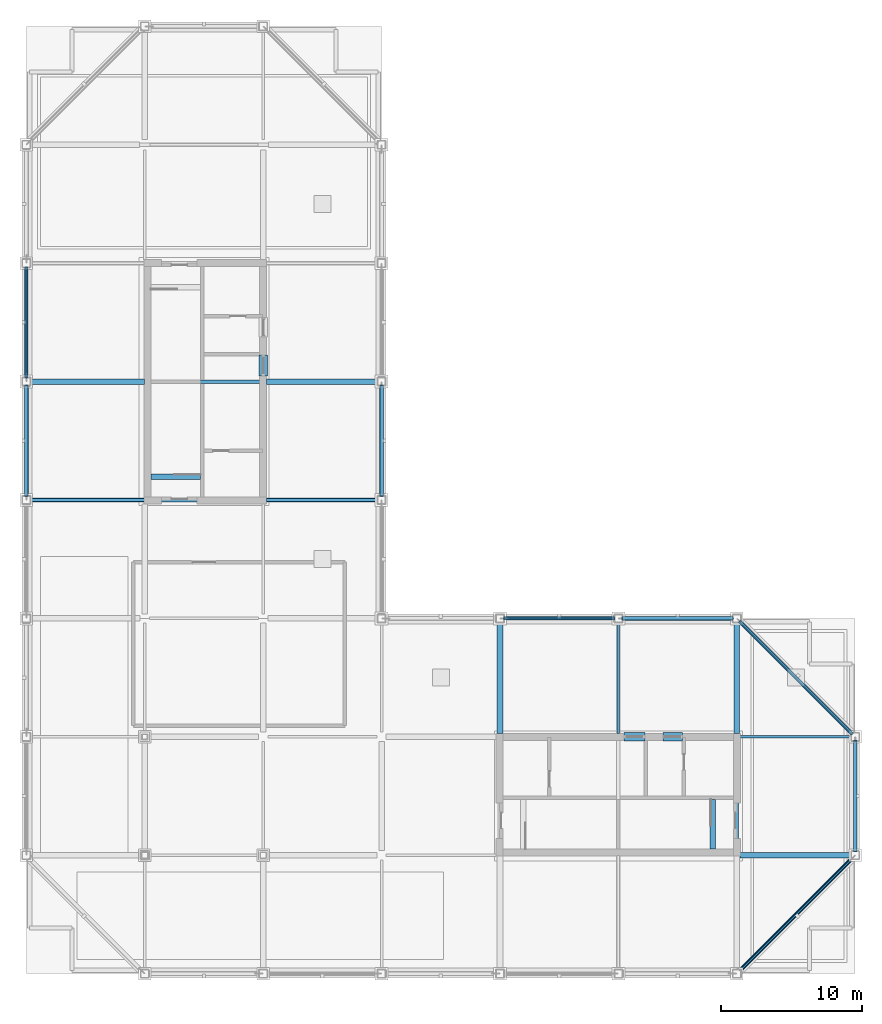
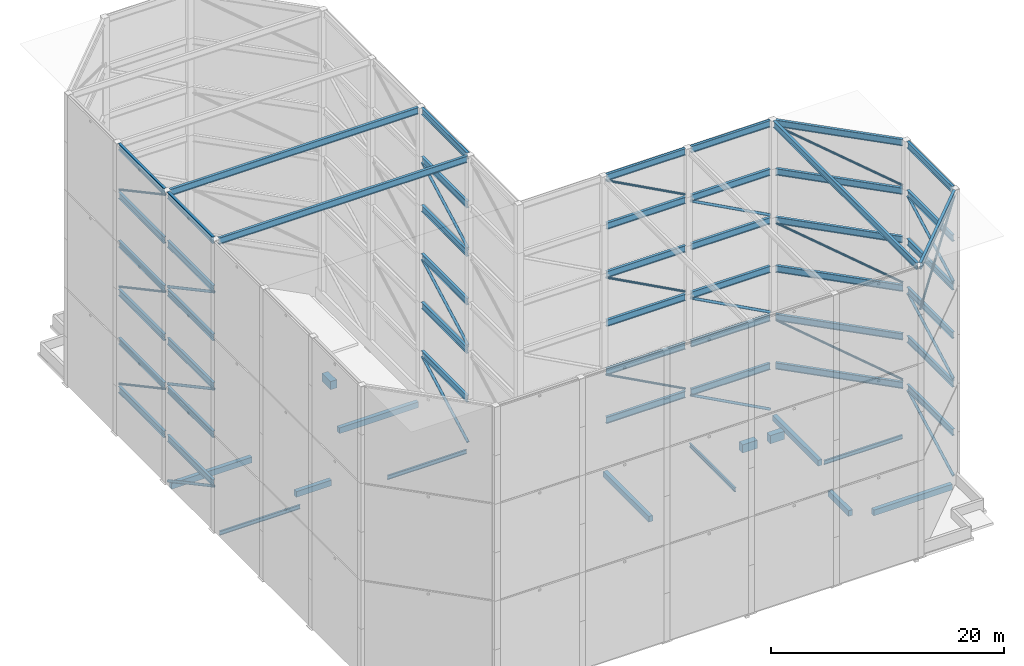
# One storey, part 5 of 17: 60 beams, 22 members.
"""IFC4 building model written with IfcOpenShell, lengths in metres."""

import ifcopenshell
import ifcopenshell.guid

model = None  # the IFC model being written
_history = None  # IfcOwnerHistory: only IFC2X3 demands one
_inside = {}  # id of a spatial element -> (the spatial element, [elements in it])
_under = {}  # id of a project, library or spatial element -> (it, [spatial elements below it])
_declared = {}  # id of a project -> (the project, [libraries it declares])
_typed = {}  # id of a type object -> (the type object, [elements of that type])
_made_of = {}  # id of a material, layer set ... -> (it, [elements and type objects made of it])


def new_model(schema):
    """Start an empty IFC model of exactly this schema.

    Asked for "IFC4X3", IfcOpenShell would pick the latest addendum, in which some entities
    have other attributes; the version numbers below select the first issue.
    IFC2X3 requires an IfcOwnerHistory on every rooted entity: one is made here for all.
    """
    global model, _history
    if schema == "IFC4X3":
        model = ifcopenshell.file(schema_version=(4, 3, 0, 0))
    else:
        model = ifcopenshell.file(schema=schema)
    _inside.clear()
    _under.clear()
    _declared.clear()
    _typed.clear()
    _made_of.clear()
    _history = None
    if model.schema == "IFC2X3":
        org = make("IfcOrganization", Name="unknown")
        user = make(
            "IfcPersonAndOrganization",
            ThePerson=make("IfcPerson", FamilyName="unknown"),
            TheOrganization=org,
        )
        app = make(
            "IfcApplication",
            ApplicationDeveloper=org,
            Version="unknown",
            ApplicationFullName="unknown",
            ApplicationIdentifier="unknown",
        )
        _history = make(
            "IfcOwnerHistory",
            OwningUser=user,
            OwningApplication=app,
            ChangeAction="ADDED",
            CreationDate=0,
        )
    return model


def make(cls, **values):
    """One entity of the class cls with the attributes given. An attribute that is None is left unset."""
    return model.create_entity(
        cls, **{name: value for name, value in values.items() if value is not None}
    )


def rooted(cls, **values):
    """An entity with a GlobalId (a new one), such as an element, a storey or a relation."""
    return make(cls, GlobalId=ifcopenshell.guid.new(), OwnerHistory=_history, **values)


def si_unit(unit_type, name, prefix=None):
    """IfcSIUnit, for example si_unit("LENGTHUNIT", "METRE", prefix="MILLI")."""
    return make("IfcSIUnit", UnitType=unit_type, Prefix=prefix, Name=name)


def assignment(units):
    """IfcUnitAssignment: the units of a project."""
    return None if units is None else make("IfcUnitAssignment", Units=units)


def point(xyz):
    """IfcCartesianPoint."""
    return None if xyz is None else make("IfcCartesianPoint", Coordinates=xyz)


def direction(xyz):
    """IfcDirection."""
    return None if xyz is None else make("IfcDirection", DirectionRatios=xyz)


def frame(location, z_axis=None, x_axis=None):
    """IfcAxis2Placement3D, a coordinate frame: its origin and axes. An axis left out is left unset."""
    return make(
        "IfcAxis2Placement3D",
        Location=point(location),
        Axis=direction(z_axis),
        RefDirection=direction(x_axis),
    )


def frame_2d(location, x_axis=None):
    """IfcAxis2Placement2D, a coordinate frame in the plane: its origin and x axis."""
    return make(
        "IfcAxis2Placement2D", Location=point(location), RefDirection=direction(x_axis)
    )


def origin():
    """The frame at (0, 0, 0) with its axes left unset."""
    return frame((0.0, 0.0, 0.0))


def origin_2d():
    """The frame at (0, 0) in the plane with its x axis left unset."""
    return frame_2d((0.0, 0.0))


def place(relative_to, where):
    """IfcLocalPlacement: puts the frame where relative to a parent placement (None: the world)."""
    return make(
        "IfcLocalPlacement", PlacementRelTo=relative_to, RelativePlacement=where
    )


def context(
    kind, dimensions, precision=None, world=None, true_north=None, identifier=None
):
    """IfcGeometricRepresentationContext, for example the 3D "Model" context."""
    return make(
        "IfcGeometricRepresentationContext",
        ContextIdentifier=identifier,
        ContextType=kind,
        CoordinateSpaceDimension=dimensions,
        Precision=precision,
        WorldCoordinateSystem=world,
        TrueNorth=true_north,
    )


def subcontext(parent, identifier, kind, view, scale=None):
    """IfcGeometricRepresentationSubContext, for example "Body" below "Model"."""
    return make(
        "IfcGeometricRepresentationSubContext",
        ContextIdentifier=identifier,
        ContextType=kind,
        ParentContext=parent,
        TargetScale=scale,
        TargetView=view,
    )


def project(units=None, contexts=None):
    """IfcProject with its units and contexts."""
    return rooted(
        "IfcProject",
        Name="project",
        RepresentationContexts=contexts,
        UnitsInContext=assignment(units),
    )


def spatial(cls, under=None, at=None, **own):
    """A site, building, storey or space (cls), placed at a placement, below another one or the project."""
    s = rooted(cls, ObjectPlacement=at, **own)
    if under is not None:
        _under.setdefault(under.id(), (under, []))[1].append(s)
    return s


def profile(cls, at=None, kind="AREA", **sizes):
    """A parametric profile (cls). Its sizes go by their IFC names, for example OverallWidth=200.0."""
    return make(cls, ProfileType=kind, Position=at, **sizes)


def rectangle(**sizes):
    """IfcRectangleProfileDef."""
    return profile("IfcRectangleProfileDef", **sizes)


def hollow_circle(**sizes):
    """IfcCircleHollowProfileDef."""
    return profile("IfcCircleHollowProfileDef", **sizes)


def i_section(**sizes):
    """IfcIShapeProfileDef."""
    return profile("IfcIShapeProfileDef", **sizes)


def extrude(swept, where, along, depth):
    """IfcExtrudedAreaSolid: the profile swept, set in the frame where, extruded along a direction by depth."""
    return make(
        "IfcExtrudedAreaSolid",
        SweptArea=swept,
        Position=where,
        ExtrudedDirection=direction(along),
        Depth=depth,
    )


def shape(context_of_items, identifier, shape_type, items):
    """IfcShapeRepresentation: the items that make up one representation, for example the "Body"."""
    return make(
        "IfcShapeRepresentation",
        ContextOfItems=context_of_items,
        RepresentationIdentifier=identifier,
        RepresentationType=shape_type,
        Items=items,
    )


def material(Name=None, Category=None):
    """IfcMaterial."""
    return make("IfcMaterial", Name=Name, Category=Category)


def material_profile(
    of_material, cross_section, Name=None, Category=None, Priority=None
):
    """IfcMaterialProfile: a cross section and its material."""
    return make(
        "IfcMaterialProfile",
        Name=Name,
        Material=of_material,
        Profile=cross_section,
        Priority=Priority,
        Category=Category,
    )


def profile_set(profiles, Name=None, composite=None):
    """IfcMaterialProfileSet."""
    return make(
        "IfcMaterialProfileSet",
        Name=Name,
        MaterialProfiles=profiles,
        CompositeProfile=composite,
    )


def made_of(thing, what):
    """Note that an element or type object is made of a material, layer set ...; save() writes the relation."""
    if what is not None:
        _made_of.setdefault(what.id(), (what, []))[1].append(thing)
    return thing


def type_object(cls, material=None, **own):
    """A type object (cls), such as IfcWallType, which elements share."""
    return made_of(rooted(cls, **own), material)


def element(
    cls,
    number,
    at=None,
    inside=None,
    cuts=None,
    type_object=None,
    material=None,
    context=None,
    identifier="Body",
    shape_type=None,
    held_by="IfcProductDefinitionShape",
    body=None,
    shapes=None,
    **own,
):
    """One element of the class cls, such as IfcWall. Its Tag is "e" and its number.

    at: its placement. inside: the storey or other place that contains it. cuts: it is an
    opening in that element (IfcRelVoidsElement). A single representation is given by context,
    identifier, shape_type and body (its items); several are given by shapes. held_by: the class
    of the entity that holds the representations. save() writes the other relations.
    """
    e = rooted(cls, Tag="e%d" % number, ObjectPlacement=at, **own)
    if body is not None:
        shapes = [shape(context, identifier, shape_type, body)]
    if shapes is not None:
        e.Representation = make(held_by, Representations=shapes)
    if inside is not None:
        _inside.setdefault(inside.id(), (inside, []))[1].append(e)
    if cuts is not None:
        rooted(
            "IfcRelVoidsElement", RelatingBuildingElement=cuts, RelatedOpeningElement=e
        )
    if type_object is not None:
        _typed.setdefault(type_object.id(), (type_object, []))[1].append(e)
    return made_of(e, material)


def aggregate(whole, parts):
    """IfcRelAggregates: a whole, such as a stair, and the parts it consists of."""
    return rooted("IfcRelAggregates", RelatingObject=whole, RelatedObjects=parts)


def save(model, path):
    """Write the relations noted so far, then the file.

    IfcRelAggregates (storeys below a building ...), IfcRelContainedInSpatialStructure (elements
    in a storey), IfcRelDefinesByType, IfcRelAssociatesMaterial and IfcRelDeclares: one each for
    every whole, place, type object, material and project.
    """
    for whole, parts in _under.values():
        aggregate(whole, parts)
    for where, things in _inside.values():
        rooted(
            "IfcRelContainedInSpatialStructure",
            RelatedElements=things,
            RelatingStructure=where,
        )
    for kind, things in _typed.values():
        rooted("IfcRelDefinesByType", RelatedObjects=things, RelatingType=kind)
    for what, things in _made_of.values():
        rooted("IfcRelAssociatesMaterial", RelatedObjects=things, RelatingMaterial=what)
    for by, libraries in _declared.values():
        rooted("IfcRelDeclares", RelatingContext=by, RelatedDefinitions=libraries)
    model.write(path)


model = new_model("IFC4")

# Units and contexts
model_context = context("Model", 3, precision=1e-05, world=origin(), true_north=direction((0.0, 1.0)))
body_context = subcontext(model_context, "Body", "Model", "MODEL_VIEW")
ifc_project = project(units=[si_unit("LENGTHUNIT", "METRE"), si_unit("AREAUNIT", "SQUARE_METRE"), si_unit("VOLUMEUNIT", "CUBIC_METRE"), si_unit("PLANEANGLEUNIT", "RADIAN"), si_unit("MASSUNIT", "GRAM", prefix="KILO")], contexts=[model_context])

# Site, building, storey
site_placement = place(None, origin())
site = spatial("IfcSite", under=ifc_project, at=site_placement, CompositionType="ELEMENT")
building_placement = place(site_placement, origin())
building = spatial("IfcBuilding", under=site, at=building_placement, Name="Koriwani Terraces Tower", CompositionType="ELEMENT")
storey_placement = place(building_placement, frame((0.0, 0.0, 374.0)))
storey = spatial("IfcBuildingStorey", under=building, at=storey_placement, Name="RF", CompositionType="ELEMENT", Elevation=374.0)

# Beams
ifc_material_1 = material(Name="Concrete C50/60", Category="concrete")
ifc_material_profile_1 = material_profile(ifc_material_1, rectangle(XDim=0.60009765625, YDim=0.85009765625, at=origin_2d()), Name="Concrete C50/60", Category="LoadBearing")
ifc_profile_set_1 = profile_set([ifc_material_profile_1], Name="Concrete C50/60")
beam_type_1 = type_object("IfcBeamType", Name="BEAM_RC_COUPLING_600X850", PredefinedType="LINTEL", material=ifc_profile_set_1)
for number, where, z_axis, x_axis, name in (
    (1, (25.199951171875, 50.800048828125, 3.97509765625), (0.0, 1.0, 0.0), (-1.0, 0.0, 0.0), "RF Core Coupling Lintel Beam WE1"),
    (2, (50.800048828125, 25.199951171875, 3.97509765625), (1.0, 0.0, 0.0), (0.0, 1.0, 0.0), "RF Core Coupling Lintel Beam EN1"),
):
    element("IfcBeam", number, at=place(storey_placement, frame(where, z_axis=z_axis, x_axis=x_axis)), inside=storey, type_object=beam_type_1, Name=name, PredefinedType="LINTEL", context=body_context, shape_type="SweptSolid", body=[
        extrude(rectangle(XDim=0.60009765625, YDim=0.85009765625, at=origin_2d()), origin(), (0.0, 0.0, 1.0), 1.47998046875),
    ])
beam_1_placement = place(storey_placement, frame((53.550048828125, 25.199951171875, 3.97509765625), z_axis=(1.0, 0.0, 0.0), x_axis=(0.0, 1.0, 0.0)))
element("IfcBeam", 3, at=beam_1_placement, inside=storey, type_object=beam_type_1, Name="RF Core Coupling Lintel Beam EN2", PredefinedType="LINTEL", context=body_context, shape_type="SweptSolid", body=[
    extrude(rectangle(XDim=0.60009765625, YDim=0.85009765625, at=origin_2d()), origin(), (0.0, 0.0, 1.0), 1.39990234375),
])
ifc_material_2 = material(Name="Concrete C40/50", Category="concrete")
ifc_material_profile_2 = material_profile(ifc_material_2, rectangle(XDim=0.39990234375, YDim=0.60009765625, at=origin_2d()), Name="Concrete C40/50", Category="LoadBearing")
ifc_profile_set_2 = profile_set([ifc_material_profile_2], Name="Concrete C40/50")
beam_type_2 = type_object("IfcBeamType", Name="BEAM_RC_GRID_400X600", PredefinedType="BEAM", material=ifc_profile_set_2)
for number, where, z_axis, x_axis, name in (
    (4, (17.25, 43.655029296875, -0.300048828125), (1.0, 0.0, 0.0), (0.0, 1.0, 0.0), "RF Stairwell Header Trimmer Beam ST-W1"),
    (5, (57.094970703125, 17.25, -0.300048828125), (0.0, 1.0, 0.0), (-1.0, 0.0, 0.0), "RF Stairwell Header Trimmer Beam ST-E2"),
):
    element("IfcBeam", number, at=place(storey_placement, frame(where, z_axis=z_axis, x_axis=x_axis)), inside=storey, type_object=beam_type_2, Name=name, PredefinedType="BEAM", context=body_context, shape_type="SweptSolid", body=[
        extrude(rectangle(XDim=0.39990234375, YDim=0.60009765625, at=origin_2d()), origin(), (0.0, 0.0, 1.0), 3.5),
    ])
beam_2_placement = place(storey_placement, frame((59.030029296875, 16.800048828125, -0.580078125), z_axis=(1.0, 0.0, 0.0), x_axis=(0.0, 1.0, 0.0)))
element("IfcBeam", 6, at=beam_2_placement, inside=storey, type_object=beam_type_2, Name="RF Grid Beam C (58.8-67.2m)", PredefinedType="BEAM", context=body_context, shape_type="SweptSolid", body=[
    extrude(rectangle(XDim=0.39990234375, YDim=0.60009765625, at=origin_2d()), origin(), (0.0, 0.0, 1.0), 7.7900390625),
])
beam_3_placement = place(storey_placement, frame((8.780029296875, 50.39990234375, -0.580078125), z_axis=(1.0, 0.0, 0.0), x_axis=(0.0, 1.0, 0.0)))
element("IfcBeam", 7, at=beam_3_placement, inside=storey, type_object=beam_type_2, Name="RF Grid Beam G (8.4-16.8m)", PredefinedType="BEAM", context=body_context, shape_type="SweptSolid", body=[
    extrude(rectangle(XDim=0.39990234375, YDim=0.60009765625, at=origin_2d()), origin(), (0.0, 0.0, 1.0), 7.989990234375),
])
for number, where, z_axis, x_axis, name in (
    (8, (25.429931640625, 50.39990234375, -0.580078125), (1.0, 0.0, 0.0), (0.0, 1.0, 0.0), "RF Grid Beam G (25.2-33.6m)"),
    (9, (42.0, 25.429931640625, -0.580078125), (0.0, 1.0, 0.0), (-1.0, 0.0, 0.0), "RF Grid Beam 6 (25.2-33.6m)"),
    (10, (58.800048828125, 25.429931640625, -0.580078125), (0.0, 1.0, 0.0), (-1.0, 0.0, 0.0), "RF Grid Beam 8 (25.2-33.6m)"),
):
    element("IfcBeam", number, at=place(storey_placement, frame(where, z_axis=z_axis, x_axis=x_axis)), inside=storey, type_object=beam_type_2, Name=name, PredefinedType="BEAM", context=body_context, shape_type="SweptSolid", body=[
        extrude(rectangle(XDim=0.39990234375, YDim=0.60009765625, at=origin_2d()), origin(), (0.0, 0.0, 1.0), 7.840087890625),
    ])
ifc_material_3 = material(Name="Steel ASTM A572 Grade 50", Category="steel")
ifc_material_profile_3 = material_profile(ifc_material_3, i_section(OverallWidth=0.256103515625, OverallDepth=0.693115234375, WebThickness=0.014404296875, FlangeThickness=0.023681640625, at=origin_2d()), Name="Steel ASTM A572 Grade 50", Category="LoadBearing")
ifc_profile_set_3 = profile_set([ifc_material_profile_3], Name="Steel ASTM A572 Grade 50")
beam_type_3 = type_object("IfcBeamType", Name="CROWN_FRAME_BEAM_W690X170", PredefinedType="USERDEFINED", material=ifc_profile_set_3)
beam_4_placement = place(storey_placement, frame((67.199951171875, 17.080078125, 20.013427734375), z_axis=(0.0, 1.0, 0.0), x_axis=(-1.0, 0.0, 0.0)))
element("IfcBeam", 11, at=beam_4_placement, inside=storey, type_object=beam_type_3, Name="CROWN FRAME Tier 4 Ring Beam S07", ObjectType="CROWN FRAME", PredefinedType="USERDEFINED", context=body_context, shape_type="SweptSolid", body=[
    extrude(i_section(OverallWidth=0.256103515625, OverallDepth=0.693115234375, WebThickness=0.014404296875, FlangeThickness=0.023681640625, at=origin_2d()), origin(), (0.0, 0.0, 1.0), 7.83984375),
])
beam_5_placement = place(storey_placement, frame((67.001953125, 25.39794921875, 20.013427734375), z_axis=(-0.707095996941, 0.707117565267, 0.0), x_axis=(-0.707117565267, -0.707095996941, 0.0)))
element("IfcBeam", 12, at=beam_5_placement, inside=storey, type_object=beam_type_3, Name="CROWN FRAME Tier 4 Ring Beam S08", ObjectType="CROWN FRAME", PredefinedType="USERDEFINED", context=body_context, shape_type="SweptSolid", body=[
    extrude(i_section(OverallWidth=0.256103515625, OverallDepth=0.693115234375, WebThickness=0.014404296875, FlangeThickness=0.023681640625, at=origin_2d()), origin(), (0.0, 0.0, 1.0), 11.3193359375),
])
for number, where, z_axis, x_axis, name in (
    (13, (58.52001953125, 33.60009765625, 20.013427734375), (-1.0, 0.0, 0.0), (0.0, -1.0, 0.0), "CROWN FRAME Tier 4 Ring Beam S09"),
    (14, (50.1201171875, 33.60009765625, 20.013427734375), (-1.0, 0.0, 0.0), (0.0, -1.0, 0.0), "CROWN FRAME Tier 4 Ring Beam S10"),
    (15, (33.60009765625, 42.280029296875, 20.013427734375), (0.0, 1.0, 0.0), (-1.0, 0.0, 0.0), "CROWN FRAME Tier 4 Ring Beam S13"),
    (16, (8.39990234375, 58.52001953125, 20.013427734375), (0.0, -1.0, 0.0), (1.0, 0.0, 0.0), "CROWN FRAME Tier 4 Ring Beam S20"),
    (17, (8.39990234375, 50.1201171875, 20.013427734375), (0.0, -1.0, 0.0), (1.0, 0.0, 0.0), "CROWN FRAME Tier 4 Ring Beam S21"),
):
    element("IfcBeam", number, at=place(storey_placement, frame(where, z_axis=z_axis, x_axis=x_axis)), inside=storey, type_object=beam_type_3, Name=name, ObjectType="CROWN FRAME", PredefinedType="USERDEFINED", context=body_context, shape_type="SweptSolid", body=[
        extrude(i_section(OverallWidth=0.256103515625, OverallDepth=0.693115234375, WebThickness=0.014404296875, FlangeThickness=0.023681640625, at=origin_2d()), origin(), (0.0, 0.0, 1.0), 7.840087890625),
    ])
beam_6_placement = place(storey_placement, frame((67.199951171875, 17.080078125, 25.103515625), z_axis=(0.0, 1.0, 0.0), x_axis=(-1.0, 0.0, 0.0)))
element("IfcBeam", 18, at=beam_6_placement, inside=storey, type_object=beam_type_3, Name="CROWN FRAME Tier 5 Ring Beam S07", ObjectType="CROWN FRAME", PredefinedType="USERDEFINED", context=body_context, shape_type="SweptSolid", body=[
    extrude(i_section(OverallWidth=0.256103515625, OverallDepth=0.693115234375, WebThickness=0.014404296875, FlangeThickness=0.023681640625, at=origin_2d()), origin(), (0.0, 0.0, 1.0), 7.83984375),
])
beam_7_placement = place(storey_placement, frame((67.001953125, 25.39794921875, 25.103515625), z_axis=(-0.707095996941, 0.707117565267, 0.0), x_axis=(-0.707117565267, -0.707095996941, 0.0)))
element("IfcBeam", 19, at=beam_7_placement, inside=storey, type_object=beam_type_3, Name="CROWN FRAME Tier 5 Ring Beam S08", ObjectType="CROWN FRAME", PredefinedType="USERDEFINED", context=body_context, shape_type="SweptSolid", body=[
    extrude(i_section(OverallWidth=0.256103515625, OverallDepth=0.693115234375, WebThickness=0.014404296875, FlangeThickness=0.023681640625, at=origin_2d()), origin(), (0.0, 0.0, 1.0), 11.3193359375),
])
for number, where, z_axis, x_axis, name in (
    (20, (58.52001953125, 33.60009765625, 25.103515625), (-1.0, 0.0, 0.0), (0.0, -1.0, 0.0), "CROWN FRAME Tier 5 Ring Beam S09"),
    (21, (50.1201171875, 33.60009765625, 25.103515625), (-1.0, 0.0, 0.0), (0.0, -1.0, 0.0), "CROWN FRAME Tier 5 Ring Beam S10"),
    (22, (33.60009765625, 42.280029296875, 25.103515625), (0.0, 1.0, 0.0), (-1.0, 0.0, 0.0), "CROWN FRAME Tier 5 Ring Beam S13"),
    (23, (8.39990234375, 58.52001953125, 25.103515625), (0.0, -1.0, 0.0), (1.0, 0.0, 0.0), "CROWN FRAME Tier 5 Ring Beam S20"),
    (24, (8.39990234375, 50.1201171875, 25.103515625), (0.0, -1.0, 0.0), (1.0, 0.0, 0.0), "CROWN FRAME Tier 5 Ring Beam S21"),
):
    element("IfcBeam", number, at=place(storey_placement, frame(where, z_axis=z_axis, x_axis=x_axis)), inside=storey, type_object=beam_type_3, Name=name, ObjectType="CROWN FRAME", PredefinedType="USERDEFINED", context=body_context, shape_type="SweptSolid", body=[
        extrude(i_section(OverallWidth=0.256103515625, OverallDepth=0.693115234375, WebThickness=0.014404296875, FlangeThickness=0.023681640625, at=origin_2d()), origin(), (0.0, 0.0, 1.0), 7.840087890625),
    ])
beam_8_placement = place(storey_placement, frame((58.998046875, 8.597900390625, 30.193603515625), z_axis=(0.707095996941, 0.707117565267, 0.0), x_axis=(-0.707117565267, 0.707095996941, 0.0)))
element("IfcBeam", 25, at=beam_8_placement, inside=storey, type_object=beam_type_3, Name="CROWN FRAME Tier 6 Ring Beam S06", ObjectType="CROWN FRAME", PredefinedType="USERDEFINED", context=body_context, shape_type="SweptSolid", body=[
    extrude(i_section(OverallWidth=0.256103515625, OverallDepth=0.693115234375, WebThickness=0.014404296875, FlangeThickness=0.023681640625, at=origin_2d()), origin(), (0.0, 0.0, 1.0), 11.3193359375),
])
beam_9_placement = place(storey_placement, frame((67.199951171875, 17.080078125, 30.193603515625), z_axis=(0.0, 1.0, 0.0), x_axis=(-1.0, 0.0, 0.0)))
element("IfcBeam", 26, at=beam_9_placement, inside=storey, type_object=beam_type_3, Name="CROWN FRAME Tier 6 Ring Beam S07", ObjectType="CROWN FRAME", PredefinedType="USERDEFINED", context=body_context, shape_type="SweptSolid", body=[
    extrude(i_section(OverallWidth=0.256103515625, OverallDepth=0.693115234375, WebThickness=0.014404296875, FlangeThickness=0.023681640625, at=origin_2d()), origin(), (0.0, 0.0, 1.0), 7.83984375),
])
beam_10_placement = place(storey_placement, frame((67.001953125, 25.39794921875, 30.193603515625), z_axis=(-0.707095996941, 0.707117565267, 0.0), x_axis=(-0.707117565267, -0.707095996941, 0.0)))
element("IfcBeam", 27, at=beam_10_placement, inside=storey, type_object=beam_type_3, Name="CROWN FRAME Tier 6 Ring Beam S08", ObjectType="CROWN FRAME", PredefinedType="USERDEFINED", context=body_context, shape_type="SweptSolid", body=[
    extrude(i_section(OverallWidth=0.256103515625, OverallDepth=0.693115234375, WebThickness=0.014404296875, FlangeThickness=0.023681640625, at=origin_2d()), origin(), (0.0, 0.0, 1.0), 11.3193359375),
])
for number, where, z_axis, x_axis, name in (
    (28, (58.52001953125, 33.60009765625, 30.193603515625), (-1.0, 0.0, 0.0), (0.0, -1.0, 0.0), "CROWN FRAME Tier 6 Ring Beam S09"),
    (29, (50.1201171875, 33.60009765625, 30.193603515625), (-1.0, 0.0, 0.0), (0.0, -1.0, 0.0), "CROWN FRAME Tier 6 Ring Beam S10"),
    (30, (33.60009765625, 42.280029296875, 30.193603515625), (0.0, 1.0, 0.0), (-1.0, 0.0, 0.0), "CROWN FRAME Tier 6 Ring Beam S13"),
    (31, (8.39990234375, 58.52001953125, 30.193603515625), (0.0, -1.0, 0.0), (1.0, 0.0, 0.0), "CROWN FRAME Tier 6 Ring Beam S20"),
    (32, (8.39990234375, 50.1201171875, 30.193603515625), (0.0, -1.0, 0.0), (1.0, 0.0, 0.0), "CROWN FRAME Tier 6 Ring Beam S21"),
):
    element("IfcBeam", number, at=place(storey_placement, frame(where, z_axis=z_axis, x_axis=x_axis)), inside=storey, type_object=beam_type_3, Name=name, ObjectType="CROWN FRAME", PredefinedType="USERDEFINED", context=body_context, shape_type="SweptSolid", body=[
        extrude(i_section(OverallWidth=0.256103515625, OverallDepth=0.693115234375, WebThickness=0.014404296875, FlangeThickness=0.023681640625, at=origin_2d()), origin(), (0.0, 0.0, 1.0), 7.840087890625),
    ])
ifc_material_profile_4 = material_profile(ifc_material_3, i_section(OverallWidth=0.2548828125, OverallDepth=0.695068359375, WebThickness=0.015380859375, FlangeThickness=0.02490234375, at=origin_2d()), Name="Steel ASTM A572 Grade 50", Category="LoadBearing")
ifc_profile_set_4 = profile_set([ifc_material_profile_4], Name="Steel ASTM A572 Grade 50")
beam_type_4 = type_object("IfcBeamType", Name="CROWN_FRAME_BEAM_W690X217", PredefinedType="USERDEFINED", material=ifc_profile_set_4)
beam_11_placement = place(storey_placement, frame((67.199951171875, 17.080078125, 4.742431640625), z_axis=(0.0, 1.0, 0.0), x_axis=(-1.0, 0.0, 0.0)))
element("IfcBeam", 33, at=beam_11_placement, inside=storey, type_object=beam_type_4, Name="CROWN FRAME Tier 1 Ring Beam S07", ObjectType="CROWN FRAME", PredefinedType="USERDEFINED", context=body_context, shape_type="SweptSolid", body=[
    extrude(i_section(OverallWidth=0.2548828125, OverallDepth=0.695068359375, WebThickness=0.015380859375, FlangeThickness=0.02490234375, at=origin_2d()), origin(), (0.0, 0.0, 1.0), 7.83984375),
])
beam_12_placement = place(storey_placement, frame((67.001953125, 25.39794921875, 4.742431640625), z_axis=(-0.707095996941, 0.707117565267, 0.0), x_axis=(-0.707117565267, -0.707095996941, 0.0)))
element("IfcBeam", 34, at=beam_12_placement, inside=storey, type_object=beam_type_4, Name="CROWN FRAME Tier 1 Ring Beam S08", ObjectType="CROWN FRAME", PredefinedType="USERDEFINED", context=body_context, shape_type="SweptSolid", body=[
    extrude(i_section(OverallWidth=0.2548828125, OverallDepth=0.695068359375, WebThickness=0.015380859375, FlangeThickness=0.02490234375, at=origin_2d()), origin(), (0.0, 0.0, 1.0), 11.3193359375),
])
for number, where, z_axis, x_axis, name in (
    (35, (58.52001953125, 33.60009765625, 4.742431640625), (-1.0, 0.0, 0.0), (0.0, -1.0, 0.0), "CROWN FRAME Tier 1 Ring Beam S09"),
    (36, (50.1201171875, 33.60009765625, 4.742431640625), (-1.0, 0.0, 0.0), (0.0, -1.0, 0.0), "CROWN FRAME Tier 1 Ring Beam S10"),
    (37, (33.60009765625, 42.280029296875, 4.742431640625), (0.0, 1.0, 0.0), (-1.0, 0.0, 0.0), "CROWN FRAME Tier 1 Ring Beam S13"),
    (38, (8.39990234375, 58.52001953125, 4.742431640625), (0.0, -1.0, 0.0), (1.0, 0.0, 0.0), "CROWN FRAME Tier 1 Ring Beam S20"),
    (39, (8.39990234375, 50.1201171875, 4.742431640625), (0.0, -1.0, 0.0), (1.0, 0.0, 0.0), "CROWN FRAME Tier 1 Ring Beam S21"),
):
    element("IfcBeam", number, at=place(storey_placement, frame(where, z_axis=z_axis, x_axis=x_axis)), inside=storey, type_object=beam_type_4, Name=name, ObjectType="CROWN FRAME", PredefinedType="USERDEFINED", context=body_context, shape_type="SweptSolid", body=[
        extrude(i_section(OverallWidth=0.2548828125, OverallDepth=0.695068359375, WebThickness=0.015380859375, FlangeThickness=0.02490234375, at=origin_2d()), origin(), (0.0, 0.0, 1.0), 7.840087890625),
    ])
beam_13_placement = place(storey_placement, frame((67.199951171875, 17.080078125, 9.83251953125), z_axis=(0.0, 1.0, 0.0), x_axis=(-1.0, 0.0, 0.0)))
element("IfcBeam", 40, at=beam_13_placement, inside=storey, type_object=beam_type_4, Name="CROWN FRAME Tier 2 Ring Beam S07", ObjectType="CROWN FRAME", PredefinedType="USERDEFINED", context=body_context, shape_type="SweptSolid", body=[
    extrude(i_section(OverallWidth=0.2548828125, OverallDepth=0.695068359375, WebThickness=0.015380859375, FlangeThickness=0.02490234375, at=origin_2d()), origin(), (0.0, 0.0, 1.0), 7.83984375),
])
beam_14_placement = place(storey_placement, frame((67.001953125, 25.39794921875, 9.83251953125), z_axis=(-0.707095996941, 0.707117565267, 0.0), x_axis=(-0.707117565267, -0.707095996941, 0.0)))
element("IfcBeam", 41, at=beam_14_placement, inside=storey, type_object=beam_type_4, Name="CROWN FRAME Tier 2 Ring Beam S08", ObjectType="CROWN FRAME", PredefinedType="USERDEFINED", context=body_context, shape_type="SweptSolid", body=[
    extrude(i_section(OverallWidth=0.2548828125, OverallDepth=0.695068359375, WebThickness=0.015380859375, FlangeThickness=0.02490234375, at=origin_2d()), origin(), (0.0, 0.0, 1.0), 11.3193359375),
])
for number, where, z_axis, x_axis, name in (
    (42, (58.52001953125, 33.60009765625, 9.83251953125), (-1.0, 0.0, 0.0), (0.0, -1.0, 0.0), "CROWN FRAME Tier 2 Ring Beam S09"),
    (43, (50.1201171875, 33.60009765625, 9.83251953125), (-1.0, 0.0, 0.0), (0.0, -1.0, 0.0), "CROWN FRAME Tier 2 Ring Beam S10"),
    (44, (33.60009765625, 42.280029296875, 9.83251953125), (0.0, 1.0, 0.0), (-1.0, 0.0, 0.0), "CROWN FRAME Tier 2 Ring Beam S13"),
    (45, (8.39990234375, 58.52001953125, 9.83251953125), (0.0, -1.0, 0.0), (1.0, 0.0, 0.0), "CROWN FRAME Tier 2 Ring Beam S20"),
    (46, (8.39990234375, 50.1201171875, 9.83251953125), (0.0, -1.0, 0.0), (1.0, 0.0, 0.0), "CROWN FRAME Tier 2 Ring Beam S21"),
):
    element("IfcBeam", number, at=place(storey_placement, frame(where, z_axis=z_axis, x_axis=x_axis)), inside=storey, type_object=beam_type_4, Name=name, ObjectType="CROWN FRAME", PredefinedType="USERDEFINED", context=body_context, shape_type="SweptSolid", body=[
        extrude(i_section(OverallWidth=0.2548828125, OverallDepth=0.695068359375, WebThickness=0.015380859375, FlangeThickness=0.02490234375, at=origin_2d()), origin(), (0.0, 0.0, 1.0), 7.840087890625),
    ])
beam_15_placement = place(storey_placement, frame((67.199951171875, 17.080078125, 14.922607421875), z_axis=(0.0, 1.0, 0.0), x_axis=(-1.0, 0.0, 0.0)))
element("IfcBeam", 47, at=beam_15_placement, inside=storey, type_object=beam_type_4, Name="CROWN FRAME Tier 3 Ring Beam S07", ObjectType="CROWN FRAME", PredefinedType="USERDEFINED", context=body_context, shape_type="SweptSolid", body=[
    extrude(i_section(OverallWidth=0.2548828125, OverallDepth=0.695068359375, WebThickness=0.015380859375, FlangeThickness=0.02490234375, at=origin_2d()), origin(), (0.0, 0.0, 1.0), 7.83984375),
])
beam_16_placement = place(storey_placement, frame((67.001953125, 25.39794921875, 14.922607421875), z_axis=(-0.707095996941, 0.707117565267, 0.0), x_axis=(-0.707117565267, -0.707095996941, 0.0)))
element("IfcBeam", 48, at=beam_16_placement, inside=storey, type_object=beam_type_4, Name="CROWN FRAME Tier 3 Ring Beam S08", ObjectType="CROWN FRAME", PredefinedType="USERDEFINED", context=body_context, shape_type="SweptSolid", body=[
    extrude(i_section(OverallWidth=0.2548828125, OverallDepth=0.695068359375, WebThickness=0.015380859375, FlangeThickness=0.02490234375, at=origin_2d()), origin(), (0.0, 0.0, 1.0), 11.3193359375),
])
for number, where, z_axis, x_axis, name in (
    (49, (58.52001953125, 33.60009765625, 14.922607421875), (-1.0, 0.0, 0.0), (0.0, -1.0, 0.0), "CROWN FRAME Tier 3 Ring Beam S09"),
    (50, (50.1201171875, 33.60009765625, 14.922607421875), (-1.0, 0.0, 0.0), (0.0, -1.0, 0.0), "CROWN FRAME Tier 3 Ring Beam S10"),
    (51, (33.60009765625, 42.280029296875, 14.922607421875), (0.0, 1.0, 0.0), (-1.0, 0.0, 0.0), "CROWN FRAME Tier 3 Ring Beam S13"),
    (52, (8.39990234375, 58.52001953125, 14.922607421875), (0.0, -1.0, 0.0), (1.0, 0.0, 0.0), "CROWN FRAME Tier 3 Ring Beam S20"),
    (53, (8.39990234375, 50.1201171875, 14.922607421875), (0.0, -1.0, 0.0), (1.0, 0.0, 0.0), "CROWN FRAME Tier 3 Ring Beam S21"),
):
    element("IfcBeam", number, at=place(storey_placement, frame(where, z_axis=z_axis, x_axis=x_axis)), inside=storey, type_object=beam_type_4, Name=name, ObjectType="CROWN FRAME", PredefinedType="USERDEFINED", context=body_context, shape_type="SweptSolid", body=[
        extrude(i_section(OverallWidth=0.2548828125, OverallDepth=0.695068359375, WebThickness=0.015380859375, FlangeThickness=0.02490234375, at=origin_2d()), origin(), (0.0, 0.0, 1.0), 7.840087890625),
    ])
for number, where, z_axis, x_axis, name in (
    (54, (8.679931640625, 42.0, 30.1923828125), (1.0, 0.0, 0.0), (0.0, 1.0, 0.0), "CROWN FRAME Cap Roof Tie Girder Y=42.0m"),
    (55, (8.679931640625, 50.39990234375, 30.1923828125), (1.0, 0.0, 0.0), (0.0, 1.0, 0.0), "CROWN FRAME Cap Roof Tie Girder Y=50.4m"),
    (56, (58.800048828125, 8.679931640625, 30.1923828125), (0.0, 1.0, 0.0), (-1.0, 0.0, 0.0), "CROWN FRAME Cap Roof Tie Girder X=58.8m"),
):
    element("IfcBeam", number, at=place(storey_placement, frame(where, z_axis=z_axis, x_axis=x_axis)), inside=storey, type_object=beam_type_4, Name=name, ObjectType="CROWN FRAME", PredefinedType="USERDEFINED", context=body_context, shape_type="SweptSolid", body=[
        extrude(i_section(OverallWidth=0.2548828125, OverallDepth=0.695068359375, WebThickness=0.015380859375, FlangeThickness=0.02490234375, at=origin_2d()), origin(), (0.0, 0.0, 1.0), 24.64013671875),
    ])

# Members
ifc_material_profile_5 = material_profile(ifc_material_3, hollow_circle(Radius=0.109619140625, WallThickness=0.008056640625, at=origin_2d()), Name="Steel ASTM A572 Grade 50", Category="LoadBearing")
ifc_profile_set_5 = profile_set([ifc_material_profile_5], Name="Steel ASTM A572 Grade 50")
member_type_1 = type_object("IfcMemberType", Name="CROWN_FRAME_BRACE_CHS219X8", PredefinedType="USERDEFINED", material=ifc_profile_set_5)
member_1_placement = place(storey_placement, frame((67.001953125, 25.39794921875, 5.2900390625), z_axis=(-0.66264893706, 0.662669149631, 0.348949830692), x_axis=(-0.707117565267, -0.707095996941, 0.0)))
element("IfcMember", 57, at=member_1_placement, inside=storey, type_object=member_type_1, Name="CROWN FRAME Tier 2 Diagonal Brace S08", ObjectType="CROWN FRAME", PredefinedType="USERDEFINED", context=body_context, shape_type="SweptSolid", body=[
    extrude(hollow_circle(Radius=0.109619140625, WallThickness=0.008056640625, at=origin_2d()), origin(), (0.0, 0.0, 1.0), 12.07861328125),
])
for number, where, z_axis, x_axis, name in (
    (58, (50.1201171875, 33.60009765625, 5.2900390625), (-0.880787078054, 0.0, 0.473512537462), (0.0, -1.0, 0.0), "CROWN FRAME Tier 2 Diagonal Brace S10"),
    (59, (8.39990234375, 58.52001953125, 5.2900390625), (0.0, -0.880787078054, 0.473512537462), (1.0, 0.0, 0.0), "CROWN FRAME Tier 2 Diagonal Brace S20"),
):
    element("IfcMember", number, at=place(storey_placement, frame(where, z_axis=z_axis, x_axis=x_axis)), inside=storey, type_object=member_type_1, Name=name, ObjectType="CROWN FRAME", PredefinedType="USERDEFINED", context=body_context, shape_type="SweptSolid", body=[
        extrude(hollow_circle(Radius=0.109619140625, WallThickness=0.008056640625, at=origin_2d()), origin(), (0.0, 0.0, 1.0), 8.901123046875),
    ])
member_2_placement = place(storey_placement, frame((67.001953125, 25.39794921875, 15.469970703125), z_axis=(-0.662606866102, 0.66262707739, 0.349109577788), x_axis=(-0.707117565267, -0.707095996941, 0.0)))
element("IfcMember", 60, at=member_2_placement, inside=storey, type_object=member_type_1, Name="CROWN FRAME Tier 4 Diagonal Brace S08", ObjectType="CROWN FRAME", PredefinedType="USERDEFINED", context=body_context, shape_type="SweptSolid", body=[
    extrude(hollow_circle(Radius=0.109619140625, WallThickness=0.008056640625, at=origin_2d()), origin(), (0.0, 0.0, 1.0), 12.079345703125),
])
for number, where, z_axis, x_axis, name in (
    (61, (50.1201171875, 33.60009765625, 15.469970703125), (-0.880684117229, 0.0, 0.47370400638), (0.0, -1.0, 0.0), "CROWN FRAME Tier 4 Diagonal Brace S10"),
    (62, (8.39990234375, 58.52001953125, 15.469970703125), (0.0, -0.880684117229, 0.47370400638), (1.0, 0.0, 0.0), "CROWN FRAME Tier 4 Diagonal Brace S20"),
):
    element("IfcMember", number, at=place(storey_placement, frame(where, z_axis=z_axis, x_axis=x_axis)), inside=storey, type_object=member_type_1, Name=name, ObjectType="CROWN FRAME", PredefinedType="USERDEFINED", context=body_context, shape_type="SweptSolid", body=[
        extrude(hollow_circle(Radius=0.109619140625, WallThickness=0.008056640625, at=origin_2d()), origin(), (0.0, 0.0, 1.0), 8.90234375),
    ])
for number, where, z_axis, x_axis, name in (
    (63, (58.998046875, 8.597900390625, 25.64990234375), (0.662606866102, 0.66262707739, 0.349109577788), (-0.707117565267, 0.707095996941, 0.0), "CROWN FRAME Tier 6 Diagonal Brace S06"),
    (64, (67.001953125, 25.39794921875, 25.64990234375), (-0.662606866102, 0.66262707739, 0.349109577788), (-0.707117565267, -0.707095996941, 0.0), "CROWN FRAME Tier 6 Diagonal Brace S08"),
):
    element("IfcMember", number, at=place(storey_placement, frame(where, z_axis=z_axis, x_axis=x_axis)), inside=storey, type_object=member_type_1, Name=name, ObjectType="CROWN FRAME", PredefinedType="USERDEFINED", context=body_context, shape_type="SweptSolid", body=[
        extrude(hollow_circle(Radius=0.109619140625, WallThickness=0.008056640625, at=origin_2d()), origin(), (0.0, 0.0, 1.0), 12.079345703125),
    ])
for number, where, z_axis, x_axis, name in (
    (65, (50.1201171875, 33.60009765625, 25.64990234375), (-0.880684117229, 0.0, 0.47370400638), (0.0, -1.0, 0.0), "CROWN FRAME Tier 6 Diagonal Brace S10"),
    (66, (8.39990234375, 58.52001953125, 25.64990234375), (0.0, -0.880684117229, 0.47370400638), (1.0, 0.0, 0.0), "CROWN FRAME Tier 6 Diagonal Brace S20"),
):
    element("IfcMember", number, at=place(storey_placement, frame(where, z_axis=z_axis, x_axis=x_axis)), inside=storey, type_object=member_type_1, Name=name, ObjectType="CROWN FRAME", PredefinedType="USERDEFINED", context=body_context, shape_type="SweptSolid", body=[
        extrude(hollow_circle(Radius=0.109619140625, WallThickness=0.008056640625, at=origin_2d()), origin(), (0.0, 0.0, 1.0), 8.90234375),
    ])
ifc_material_profile_6 = material_profile(ifc_material_3, hollow_circle(Radius=0.136474609375, WallThickness=0.010009765625, at=origin_2d()), Name="Steel ASTM A572 Grade 50", Category="LoadBearing")
ifc_profile_set_6 = profile_set([ifc_material_profile_6], Name="Steel ASTM A572 Grade 50")
member_type_2 = type_object("IfcMemberType", Name="CROWN_FRAME_BRACE_CHS273X10", PredefinedType="USERDEFINED", material=ifc_profile_set_6)
member_3_placement = place(storey_placement, frame((67.199951171875, 17.080078125, 0.199951171875), z_axis=(0.0, 0.880769488446, 0.473545254672), x_axis=(-1.0, 0.0, 0.0)))
element("IfcMember", 67, at=member_3_placement, inside=storey, type_object=member_type_2, Name="CROWN FRAME Tier 1 Diagonal Brace S07", ObjectType="CROWN FRAME", PredefinedType="USERDEFINED", context=body_context, shape_type="SweptSolid", body=[
    extrude(hollow_circle(Radius=0.136474609375, WallThickness=0.010009765625, at=origin_2d()), origin(), (0.0, 0.0, 1.0), 8.901123046875),
])
for number, where, z_axis, x_axis, name in (
    (68, (58.52001953125, 33.60009765625, 0.199951171875), (-0.880775638829, 0.0, 0.473533815102), (0.0, -1.0, 0.0), "CROWN FRAME Tier 1 Diagonal Brace S09"),
    (69, (33.60009765625, 42.280029296875, 0.199951171875), (0.0, 0.880775638829, 0.473533815102), (-1.0, 0.0, 0.0), "CROWN FRAME Tier 1 Diagonal Brace S13"),
    (70, (8.39990234375, 50.1201171875, 0.199951171875), (0.0, -0.880775638829, 0.473533815102), (1.0, 0.0, 0.0), "CROWN FRAME Tier 1 Diagonal Brace S21"),
):
    element("IfcMember", number, at=place(storey_placement, frame(where, z_axis=z_axis, x_axis=x_axis)), inside=storey, type_object=member_type_2, Name=name, ObjectType="CROWN FRAME", PredefinedType="USERDEFINED", context=body_context, shape_type="SweptSolid", body=[
        extrude(hollow_circle(Radius=0.136474609375, WallThickness=0.010009765625, at=origin_2d()), origin(), (0.0, 0.0, 1.0), 8.9013671875),
    ])
member_4_placement = place(storey_placement, frame((67.199951171875, 17.080078125, 10.3798828125), z_axis=(0.0, 0.880769488446, 0.473545254672), x_axis=(-1.0, 0.0, 0.0)))
element("IfcMember", 71, at=member_4_placement, inside=storey, type_object=member_type_2, Name="CROWN FRAME Tier 3 Diagonal Brace S07", ObjectType="CROWN FRAME", PredefinedType="USERDEFINED", context=body_context, shape_type="SweptSolid", body=[
    extrude(hollow_circle(Radius=0.136474609375, WallThickness=0.010009765625, at=origin_2d()), origin(), (0.0, 0.0, 1.0), 8.901123046875),
])
for number, where, z_axis, x_axis, name in (
    (72, (58.52001953125, 33.60009765625, 10.3798828125), (-0.880775638829, 0.0, 0.473533815102), (0.0, -1.0, 0.0), "CROWN FRAME Tier 3 Diagonal Brace S09"),
    (73, (33.60009765625, 42.280029296875, 10.3798828125), (0.0, 0.880775638829, 0.473533815102), (-1.0, 0.0, 0.0), "CROWN FRAME Tier 3 Diagonal Brace S13"),
    (74, (8.39990234375, 50.1201171875, 10.3798828125), (0.0, -0.880775638829, 0.473533815102), (1.0, 0.0, 0.0), "CROWN FRAME Tier 3 Diagonal Brace S21"),
):
    element("IfcMember", number, at=place(storey_placement, frame(where, z_axis=z_axis, x_axis=x_axis)), inside=storey, type_object=member_type_2, Name=name, ObjectType="CROWN FRAME", PredefinedType="USERDEFINED", context=body_context, shape_type="SweptSolid", body=[
        extrude(hollow_circle(Radius=0.136474609375, WallThickness=0.010009765625, at=origin_2d()), origin(), (0.0, 0.0, 1.0), 8.9013671875),
    ])
member_5_placement = place(storey_placement, frame((67.199951171875, 17.080078125, 20.56005859375), z_axis=(0.0, 0.880677963064, 0.473715447683), x_axis=(-1.0, 0.0, 0.0)))
element("IfcMember", 75, at=member_5_placement, inside=storey, type_object=member_type_2, Name="CROWN FRAME Tier 5 Diagonal Brace S07", ObjectType="CROWN FRAME", PredefinedType="USERDEFINED", context=body_context, shape_type="SweptSolid", body=[
    extrude(hollow_circle(Radius=0.136474609375, WallThickness=0.010009765625, at=origin_2d()), origin(), (0.0, 0.0, 1.0), 8.902099609375),
])
for number, where, z_axis, x_axis, name in (
    (76, (58.52001953125, 33.60009765625, 20.56005859375), (-0.880684117229, 0.0, 0.47370400638), (0.0, -1.0, 0.0), "CROWN FRAME Tier 5 Diagonal Brace S09"),
    (77, (33.60009765625, 42.280029296875, 20.56005859375), (0.0, 0.880684117229, 0.47370400638), (-1.0, 0.0, 0.0), "CROWN FRAME Tier 5 Diagonal Brace S13"),
    (78, (8.39990234375, 50.1201171875, 20.56005859375), (0.0, -0.880684117229, 0.47370400638), (1.0, 0.0, 0.0), "CROWN FRAME Tier 5 Diagonal Brace S21"),
):
    element("IfcMember", number, at=place(storey_placement, frame(where, z_axis=z_axis, x_axis=x_axis)), inside=storey, type_object=member_type_2, Name=name, ObjectType="CROWN FRAME", PredefinedType="USERDEFINED", context=body_context, shape_type="SweptSolid", body=[
        extrude(hollow_circle(Radius=0.136474609375, WallThickness=0.010009765625, at=origin_2d()), origin(), (0.0, 0.0, 1.0), 8.90234375),
    ])

# Beams
ifc_material_profile_7 = material_profile(ifc_material_3, i_section(OverallWidth=0.180908203125, OverallDepth=0.4169921875, WebThickness=0.010986328125, FlangeThickness=0.018310546875, at=origin_2d()), Name="Steel ASTM A572 Grade 50", Category="LoadBearing")
ifc_profile_set_7 = profile_set([ifc_material_profile_7], Name="Steel ASTM A572 Grade 50")
beam_type_5 = type_object("IfcBeamType", Name="STEEL_BEAM_W410X85", PredefinedType="JOIST", material=ifc_profile_set_7)
beam_17_placement = place(storey_placement, frame((59.030029296875, 25.199951171875, -0.488525390625), z_axis=(1.0, 0.0, 0.0), x_axis=(0.0, 1.0, 0.0)))
element("IfcBeam", 79, at=beam_17_placement, inside=storey, type_object=beam_type_5, Name="RF Grid Beam D (58.8-67.2m)", PredefinedType="JOIST", context=body_context, shape_type="SweptSolid", body=[
    extrude(i_section(OverallWidth=0.180908203125, OverallDepth=0.4169921875, WebThickness=0.010986328125, FlangeThickness=0.018310546875, at=origin_2d()), origin(), (0.0, 0.0, 1.0), 7.7900390625),
])
beam_18_placement = place(storey_placement, frame((8.780029296875, 42.0, -0.488525390625), z_axis=(1.0, 0.0, 0.0), x_axis=(0.0, 1.0, 0.0)))
element("IfcBeam", 80, at=beam_18_placement, inside=storey, type_object=beam_type_5, Name="RF Grid Beam F (8.4-16.8m)", PredefinedType="JOIST", context=body_context, shape_type="SweptSolid", body=[
    extrude(i_section(OverallWidth=0.180908203125, OverallDepth=0.4169921875, WebThickness=0.010986328125, FlangeThickness=0.018310546875, at=origin_2d()), origin(), (0.0, 0.0, 1.0), 7.989990234375),
])
for number, where, z_axis, x_axis, name in (
    (81, (25.429931640625, 42.0, -0.488525390625), (1.0, 0.0, 0.0), (0.0, 1.0, 0.0), "RF Grid Beam F (25.2-33.6m)"),
    (82, (50.39990234375, 25.429931640625, -0.488525390625), (0.0, 1.0, 0.0), (-1.0, 0.0, 0.0), "RF Grid Beam 7 (25.2-33.6m)"),
):
    element("IfcBeam", number, at=place(storey_placement, frame(where, z_axis=z_axis, x_axis=x_axis)), inside=storey, type_object=beam_type_5, Name=name, PredefinedType="JOIST", context=body_context, shape_type="SweptSolid", body=[
        extrude(i_section(OverallWidth=0.180908203125, OverallDepth=0.4169921875, WebThickness=0.010986328125, FlangeThickness=0.018310546875, at=origin_2d()), origin(), (0.0, 0.0, 1.0), 7.840087890625),
    ])

save(model, "model.ifc")
